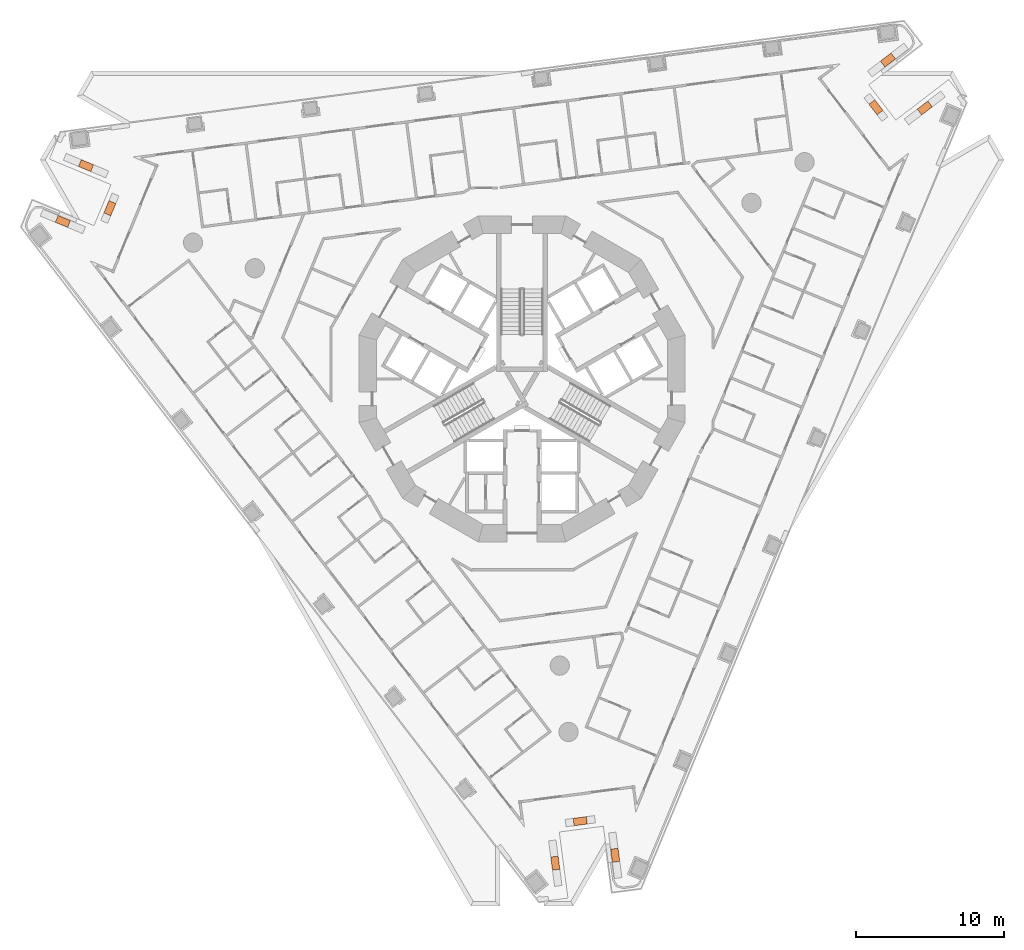
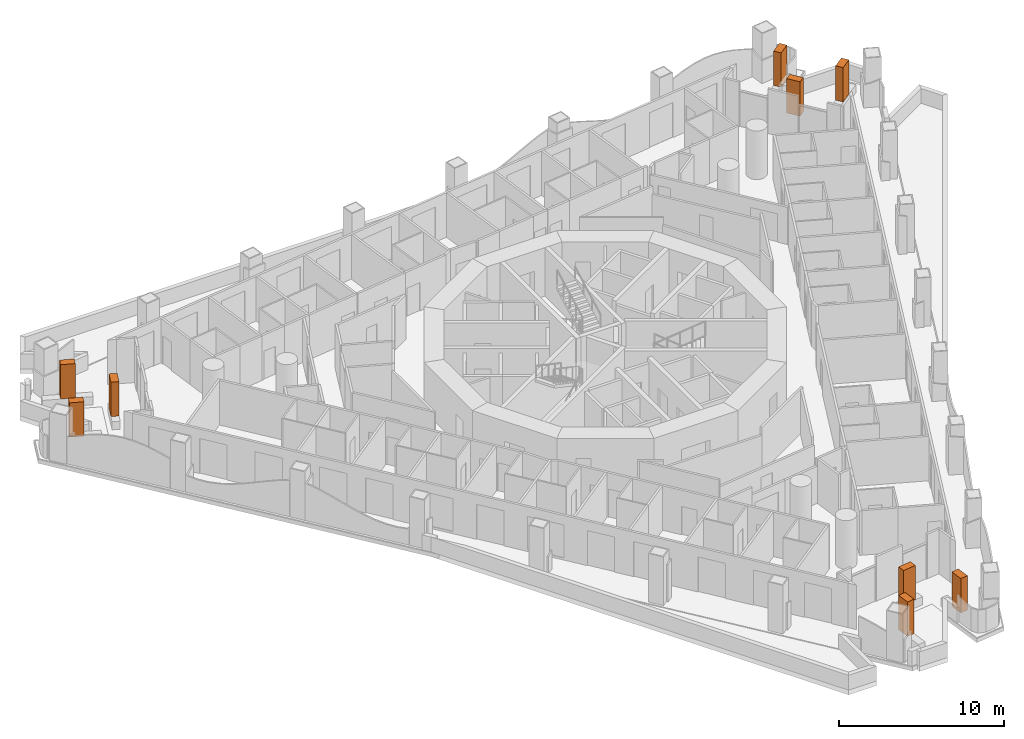
# One storey, part 20 of 20: 9 geographic elements.
"""IFC4 building model written with IfcOpenShell, lengths in metres."""

from ifc_helpers import new_model, si_unit, direction, frame, origin, origin_2d, place, context, subcontext, project, spatial, rectangle, extrude, element, save


model = new_model("IFC4")

# Units and contexts
model_context = context("Model", 3, precision=1e-05, world=origin(), true_north=direction((0.0, 1.0)))
body_context = subcontext(model_context, "Body", "Model", "MODEL_VIEW")
ifc_project = project(units=[si_unit("LENGTHUNIT", "METRE"), si_unit("AREAUNIT", "SQUARE_METRE"), si_unit("VOLUMEUNIT", "CUBIC_METRE"), si_unit("PLANEANGLEUNIT", "RADIAN"), si_unit("MASSUNIT", "GRAM", prefix="KILO")], contexts=[model_context])

# Site, building, storey
site_placement = place(None, origin())
site = spatial("IfcSite", under=ifc_project, at=site_placement, CompositionType="ELEMENT")
building_placement = place(site_placement, origin())
building = spatial("IfcBuilding", under=site, at=building_placement, Name="Trine Commons Tower", CompositionType="ELEMENT")
storey_placement = place(building_placement, frame((0.0, 0.0, 50.39990234375)))
storey = spatial("IfcBuildingStorey", under=building, at=storey_placement, Name="L11", CompositionType="ELEMENT", Elevation=50.39990234375)

# Geographic elements
for number, where, z_axis, x_axis, name in (
    (1, (49.005126953125, 73.13037109375, 0.60009765625), (0.0, 0.0, 1.0), (0.923885543575, -0.382668920052, 0.0), "Tree 1.1"),
    (2, (52.1787109375, 74.02392578125, 0.60009765625), (0.0, 0.0, 1.0), (0.382688269782, 0.923877528773, 0.0), "Tree 2.1"),
    (3, (50.56640625, 76.89990234375, 0.60009765625), (0.0, 0.0, 1.0), (-0.923885543575, 0.382668920052, 0.0), "Tree 3.1"),
    (4, (104.70361328125, 84.027099609375, 0.60009765625), (0.0, 0.0, 1.0), (-0.793358652707, -0.608754505672, 0.0), "Tree 4.1"),
    (5, (103.890625, 80.831787109375, 0.60009765625), (0.0, 0.0, 1.0), (0.608735120081, -0.793373527148, 0.0), "Tree 5.1"),
    (6, (107.187255859375, 80.790283203125, 0.60009765625), (0.0, 0.0, 1.0), (0.793358652707, 0.608754505672, 0.0), "Tree 6.1"),
    (7, (86.291259765625, 30.342529296875, 0.60009765625), (0.0, 0.0, 1.0), (-0.130517540226, 0.991446000392, 0.0), "Tree 7.1"),
    (8, (83.9306640625, 32.64404296875, 0.60009765625), (0.0, 0.0, 1.0), (-0.991442583111, -0.130543496177, 0.0), "Tree 8.1"),
    (9, (82.24609375, 29.81005859375, 0.60009765625), (0.0, 0.0, 1.0), (0.130546956964, -0.991442127422, 0.0), "Tree 9.1"),
):
    element("IfcGeographicElement", number, at=place(storey_placement, frame(where, z_axis=z_axis, x_axis=x_axis)), inside=storey, Name=name, ObjectType="TREE Tabebuia rosea", PredefinedType="USERDEFINED", context=body_context, shape_type="SweptSolid", body=[
        extrude(rectangle(XDim=0.89990234375, YDim=0.5, at=origin_2d()), origin(), (0.0, 0.0, 1.0), 2.550048828125),
    ])

save(model, "model.ifc")
